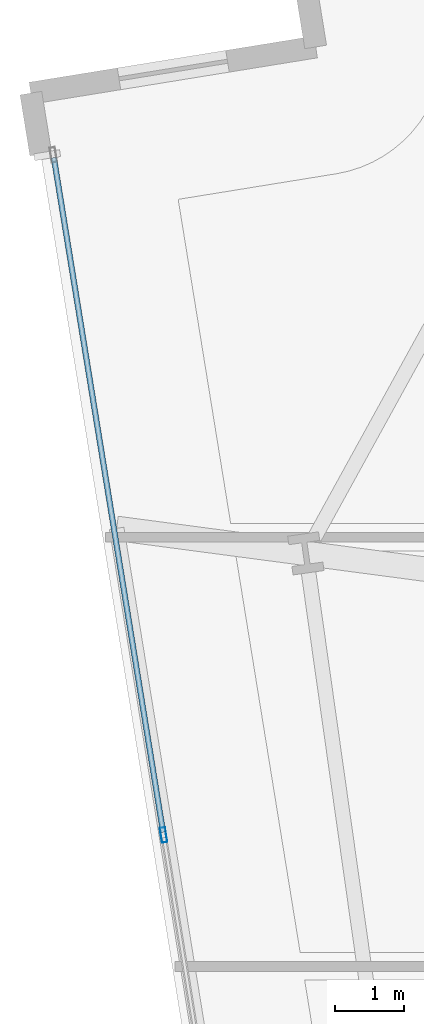
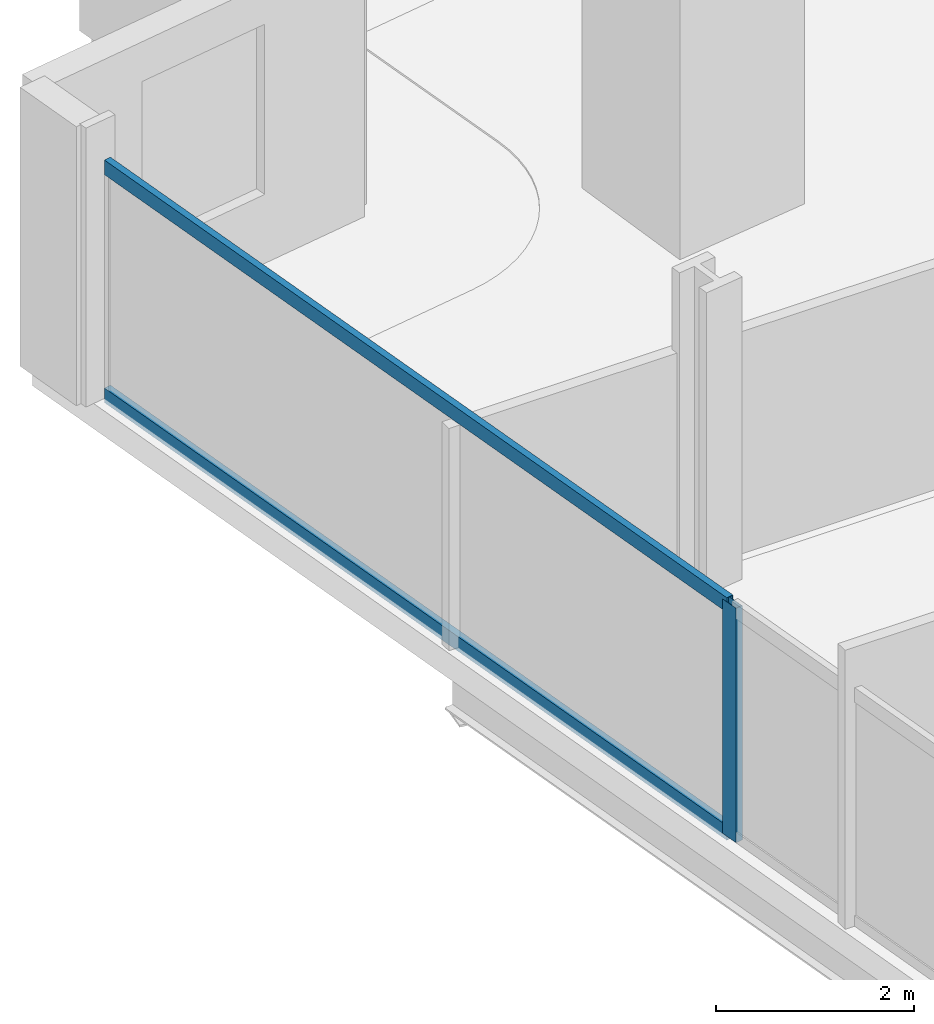
# One storey, part 14 of 33: 3 members, 1 element without a shape of its own.
"""IFC4 building model written with IfcOpenShell, lengths in metres."""

from ifc_helpers import new_model, si_unit, direction, frame, origin, origin_2d, place, context, subcontext, project, spatial, hollow_rectangle, extrude, material, material_profile, profile_set, type_object, element, aggregate, save


model = new_model("IFC4")

# Units and contexts
model_context = context("Model", 3, precision=1e-05, world=origin(), true_north=direction((0.0, 1.0)))
body_context = subcontext(model_context, "Body", "Model", "MODEL_VIEW")
ifc_project = project(units=[si_unit("LENGTHUNIT", "METRE"), si_unit("AREAUNIT", "SQUARE_METRE"), si_unit("VOLUMEUNIT", "CUBIC_METRE"), si_unit("PLANEANGLEUNIT", "RADIAN"), si_unit("MASSUNIT", "GRAM", prefix="KILO")], contexts=[model_context])

# Site, building, storey
site_placement = place(None, origin())
site = spatial("IfcSite", under=ifc_project, at=site_placement, CompositionType="ELEMENT")
building_placement = place(site_placement, origin())
building = spatial("IfcBuilding", under=site, at=building_placement, Name="Haldenkirk Collegiate Tower", CompositionType="ELEMENT")
storey_placement = place(building_placement, frame((0.0, 0.0, 58.949951171875)))
storey = spatial("IfcBuildingStorey", under=building, at=storey_placement, Name="L13", CompositionType="ELEMENT", Elevation=58.949951171875)

# Curtain wall, members
ifc_material = material(Name="Anodised architectural bronze aluminium", Category="aluminium")
curtain_wall_type = type_object("IfcCurtainWallType", Name="CW-SYS1-CONVEX-LOW", PredefinedType="USERDEFINED", material=ifc_material)
curtain_wall_placement = place(storey_placement, origin())
curtain_wall = element("IfcCurtainWall", 1, at=curtain_wall_placement, inside=storey, type_object=curtain_wall_type, Name="L13 Lower tower convex bronze-framed unitised curtain wall", ObjectType="UNITISED CURTAIN WALL", PredefinedType="USERDEFINED")
ifc_material_profile_1 = material_profile(ifc_material, hollow_rectangle(XDim=0.080078125, YDim=0.219970703125, WallThickness=0.0048828125, at=origin_2d()), Name="CW-MUL-1A")
ifc_profile_set_1 = profile_set([ifc_material_profile_1], Name="Anodised architectural bronze aluminium")
member_type_1 = type_object("IfcMemberType", Name="CW-MUL-1A", PredefinedType="MULLION", material=ifc_profile_set_1)
member_1_placement = place(storey_placement, frame((8.19482421875, 32.1142578125, 0.0), z_axis=(0.0, 0.0, 1.0), x_axis=(-0.987136314905, -0.15988088002, 0.0)))
member_1 = element("IfcMember", 2, at=member_1_placement, type_object=member_type_1, Name="CW-1A mullion 4", PredefinedType="MULLION", context=body_context, shape_type="SweptSolid", body=[
    extrude(hollow_rectangle(XDim=0.080078125, YDim=0.219970703125, WallThickness=0.0048828125, at=origin_2d()), origin(), (0.0, 0.0, 1.0), 2.89111328125),
])
ifc_material_profile_2 = material_profile(ifc_material, hollow_rectangle(XDim=0.080078125, YDim=0.179931640625, WallThickness=0.0048828125, at=origin_2d()), Name="CW-TRN-1A")
ifc_profile_set_2 = profile_set([ifc_material_profile_2], Name="Anodised architectural bronze aluminium")
member_type_2 = type_object("IfcMemberType", Name="CW-TRN-1A", PredefinedType="USERDEFINED", material=ifc_profile_set_2)
member_2_placement = place(storey_placement, frame((8.1884765625, 32.15380859375, 0.0400390625), z_axis=(-0.159876636244, 0.987137002236, 0.0), x_axis=(-0.987137002236, -0.159876636244, 0.0)))
member_2 = element("IfcMember", 3, at=member_2_placement, type_object=member_type_2, Name="CW-1A transom 4.1", ObjectType="TRANSOM", PredefinedType="USERDEFINED", context=body_context, shape_type="SweptSolid", body=[
    extrude(hollow_rectangle(XDim=0.080078125, YDim=0.179931640625, WallThickness=0.0048828125, at=origin_2d()), origin(), (0.0, 0.0, 1.0), 9.94873046875),
])
member_3_placement = place(storey_placement, frame((8.1884765625, 32.15380859375, 2.85107421875), z_axis=(-0.159876636244, 0.987137002236, 0.0), x_axis=(-0.987137002236, -0.159876636244, 0.0)))
member_3 = element("IfcMember", 4, at=member_3_placement, type_object=member_type_2, Name="CW-1A transom 4.2", ObjectType="TRANSOM", PredefinedType="USERDEFINED", context=body_context, shape_type="SweptSolid", body=[
    extrude(hollow_rectangle(XDim=0.080078125, YDim=0.179931640625, WallThickness=0.0048828125, at=origin_2d()), origin(), (0.0, 0.0, 1.0), 9.94873046875),
])
aggregate(curtain_wall, [member_1, member_2, member_3])

save(model, "model.ifc")
